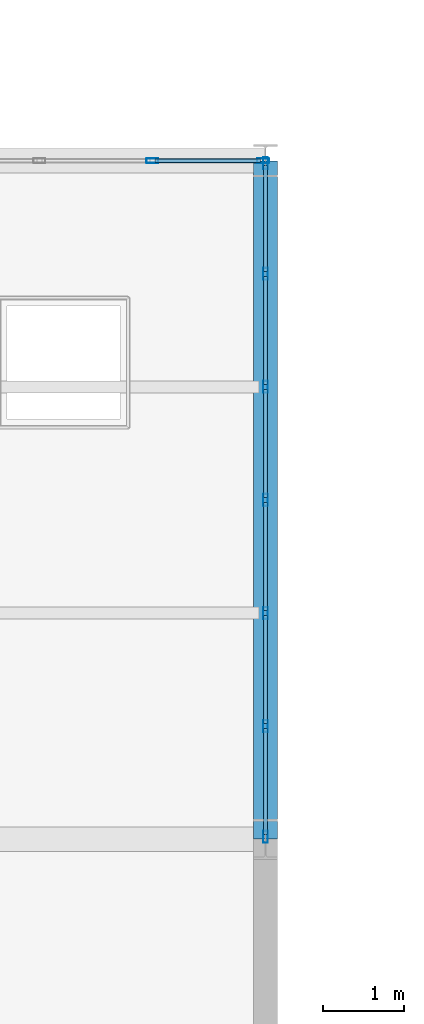
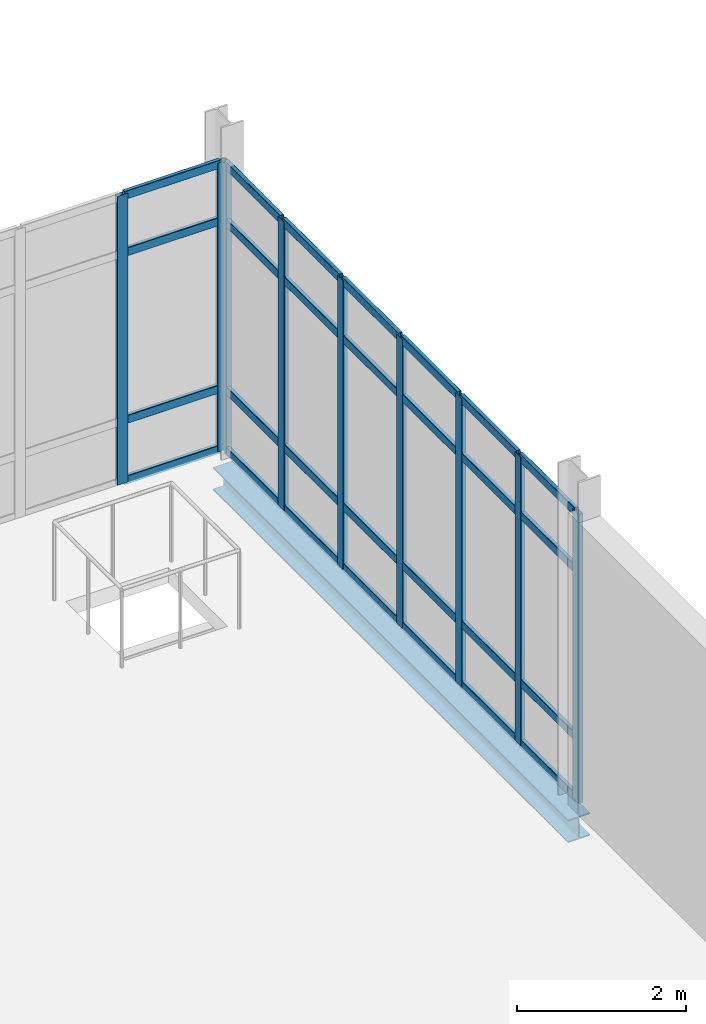
# One storey, part 70 of 145: 37 members, 1 beam, 2 elements without a shape of their own.
"""IFC4 building model written with IfcOpenShell, lengths in metres."""

import ifcopenshell
import ifcopenshell.guid

model = None  # the IFC model being written
_history = None  # IfcOwnerHistory: only IFC2X3 demands one
_inside = {}  # id of a spatial element -> (the spatial element, [elements in it])
_under = {}  # id of a project, library or spatial element -> (it, [spatial elements below it])
_declared = {}  # id of a project -> (the project, [libraries it declares])
_typed = {}  # id of a type object -> (the type object, [elements of that type])
_made_of = {}  # id of a material, layer set ... -> (it, [elements and type objects made of it])


def new_model(schema):
    """Start an empty IFC model of exactly this schema.

    Asked for "IFC4X3", IfcOpenShell would pick the latest addendum, in which some entities
    have other attributes; the version numbers below select the first issue.
    IFC2X3 requires an IfcOwnerHistory on every rooted entity: one is made here for all.
    """
    global model, _history
    if schema == "IFC4X3":
        model = ifcopenshell.file(schema_version=(4, 3, 0, 0))
    else:
        model = ifcopenshell.file(schema=schema)
    _inside.clear()
    _under.clear()
    _declared.clear()
    _typed.clear()
    _made_of.clear()
    _history = None
    if model.schema == "IFC2X3":
        org = make("IfcOrganization", Name="unknown")
        user = make(
            "IfcPersonAndOrganization",
            ThePerson=make("IfcPerson", FamilyName="unknown"),
            TheOrganization=org,
        )
        app = make(
            "IfcApplication",
            ApplicationDeveloper=org,
            Version="unknown",
            ApplicationFullName="unknown",
            ApplicationIdentifier="unknown",
        )
        _history = make(
            "IfcOwnerHistory",
            OwningUser=user,
            OwningApplication=app,
            ChangeAction="ADDED",
            CreationDate=0,
        )
    return model


def make(cls, **values):
    """One entity of the class cls with the attributes given. An attribute that is None is left unset."""
    return model.create_entity(
        cls, **{name: value for name, value in values.items() if value is not None}
    )


def rooted(cls, **values):
    """An entity with a GlobalId (a new one), such as an element, a storey or a relation."""
    return make(cls, GlobalId=ifcopenshell.guid.new(), OwnerHistory=_history, **values)


def si_unit(unit_type, name, prefix=None):
    """IfcSIUnit, for example si_unit("LENGTHUNIT", "METRE", prefix="MILLI")."""
    return make("IfcSIUnit", UnitType=unit_type, Prefix=prefix, Name=name)


def assignment(units):
    """IfcUnitAssignment: the units of a project."""
    return None if units is None else make("IfcUnitAssignment", Units=units)


def point(xyz):
    """IfcCartesianPoint."""
    return None if xyz is None else make("IfcCartesianPoint", Coordinates=xyz)


def direction(xyz):
    """IfcDirection."""
    return None if xyz is None else make("IfcDirection", DirectionRatios=xyz)


def frame(location, z_axis=None, x_axis=None):
    """IfcAxis2Placement3D, a coordinate frame: its origin and axes. An axis left out is left unset."""
    return make(
        "IfcAxis2Placement3D",
        Location=point(location),
        Axis=direction(z_axis),
        RefDirection=direction(x_axis),
    )


def frame_2d(location, x_axis=None):
    """IfcAxis2Placement2D, a coordinate frame in the plane: its origin and x axis."""
    return make(
        "IfcAxis2Placement2D", Location=point(location), RefDirection=direction(x_axis)
    )


def origin():
    """The frame at (0, 0, 0) with its axes left unset."""
    return frame((0.0, 0.0, 0.0))


def origin_2d():
    """The frame at (0, 0) in the plane with its x axis left unset."""
    return frame_2d((0.0, 0.0))


def place(relative_to, where):
    """IfcLocalPlacement: puts the frame where relative to a parent placement (None: the world)."""
    return make(
        "IfcLocalPlacement", PlacementRelTo=relative_to, RelativePlacement=where
    )


def context(
    kind, dimensions, precision=None, world=None, true_north=None, identifier=None
):
    """IfcGeometricRepresentationContext, for example the 3D "Model" context."""
    return make(
        "IfcGeometricRepresentationContext",
        ContextIdentifier=identifier,
        ContextType=kind,
        CoordinateSpaceDimension=dimensions,
        Precision=precision,
        WorldCoordinateSystem=world,
        TrueNorth=true_north,
    )


def subcontext(parent, identifier, kind, view, scale=None):
    """IfcGeometricRepresentationSubContext, for example "Body" below "Model"."""
    return make(
        "IfcGeometricRepresentationSubContext",
        ContextIdentifier=identifier,
        ContextType=kind,
        ParentContext=parent,
        TargetScale=scale,
        TargetView=view,
    )


def project(units=None, contexts=None):
    """IfcProject with its units and contexts."""
    return rooted(
        "IfcProject",
        Name="project",
        RepresentationContexts=contexts,
        UnitsInContext=assignment(units),
    )


def spatial(cls, under=None, at=None, **own):
    """A site, building, storey or space (cls), placed at a placement, below another one or the project."""
    s = rooted(cls, ObjectPlacement=at, **own)
    if under is not None:
        _under.setdefault(under.id(), (under, []))[1].append(s)
    return s


def profile(cls, at=None, kind="AREA", **sizes):
    """A parametric profile (cls). Its sizes go by their IFC names, for example OverallWidth=200.0."""
    return make(cls, ProfileType=kind, Position=at, **sizes)


def hollow_rectangle(**sizes):
    """IfcRectangleHollowProfileDef."""
    return profile("IfcRectangleHollowProfileDef", **sizes)


def i_section(**sizes):
    """IfcIShapeProfileDef."""
    return profile("IfcIShapeProfileDef", **sizes)


def extrude(swept, where, along, depth):
    """IfcExtrudedAreaSolid: the profile swept, set in the frame where, extruded along a direction by depth."""
    return make(
        "IfcExtrudedAreaSolid",
        SweptArea=swept,
        Position=where,
        ExtrudedDirection=direction(along),
        Depth=depth,
    )


def shape(context_of_items, identifier, shape_type, items):
    """IfcShapeRepresentation: the items that make up one representation, for example the "Body"."""
    return make(
        "IfcShapeRepresentation",
        ContextOfItems=context_of_items,
        RepresentationIdentifier=identifier,
        RepresentationType=shape_type,
        Items=items,
    )


def material(Name=None, Category=None):
    """IfcMaterial."""
    return make("IfcMaterial", Name=Name, Category=Category)


def layer(
    of_material, thickness, ventilated=None, Name=None, Category=None, Priority=None
):
    """IfcMaterialLayer: one layer of a wall or slab, of a material (None: an air gap)."""
    return make(
        "IfcMaterialLayer",
        Material=of_material,
        LayerThickness=thickness,
        IsVentilated=ventilated,
        Name=Name,
        Category=Category,
        Priority=Priority,
    )


def layer_set(layers, Name=None):
    """IfcMaterialLayerSet."""
    return make("IfcMaterialLayerSet", MaterialLayers=layers, LayerSetName=Name)


def material_profile(
    of_material, cross_section, Name=None, Category=None, Priority=None
):
    """IfcMaterialProfile: a cross section and its material."""
    return make(
        "IfcMaterialProfile",
        Name=Name,
        Material=of_material,
        Profile=cross_section,
        Priority=Priority,
        Category=Category,
    )


def profile_set(profiles, Name=None, composite=None):
    """IfcMaterialProfileSet."""
    return make(
        "IfcMaterialProfileSet",
        Name=Name,
        MaterialProfiles=profiles,
        CompositeProfile=composite,
    )


def made_of(thing, what):
    """Note that an element or type object is made of a material, layer set ...; save() writes the relation."""
    if what is not None:
        _made_of.setdefault(what.id(), (what, []))[1].append(thing)
    return thing


def type_object(cls, material=None, **own):
    """A type object (cls), such as IfcWallType, which elements share."""
    return made_of(rooted(cls, **own), material)


def element(
    cls,
    number,
    at=None,
    inside=None,
    cuts=None,
    type_object=None,
    material=None,
    context=None,
    identifier="Body",
    shape_type=None,
    held_by="IfcProductDefinitionShape",
    body=None,
    shapes=None,
    **own,
):
    """One element of the class cls, such as IfcWall. Its Tag is "e" and its number.

    at: its placement. inside: the storey or other place that contains it. cuts: it is an
    opening in that element (IfcRelVoidsElement). A single representation is given by context,
    identifier, shape_type and body (its items); several are given by shapes. held_by: the class
    of the entity that holds the representations. save() writes the other relations.
    """
    e = rooted(cls, Tag="e%d" % number, ObjectPlacement=at, **own)
    if body is not None:
        shapes = [shape(context, identifier, shape_type, body)]
    if shapes is not None:
        e.Representation = make(held_by, Representations=shapes)
    if inside is not None:
        _inside.setdefault(inside.id(), (inside, []))[1].append(e)
    if cuts is not None:
        rooted(
            "IfcRelVoidsElement", RelatingBuildingElement=cuts, RelatedOpeningElement=e
        )
    if type_object is not None:
        _typed.setdefault(type_object.id(), (type_object, []))[1].append(e)
    return made_of(e, material)


def aggregate(whole, parts):
    """IfcRelAggregates: a whole, such as a stair, and the parts it consists of."""
    return rooted("IfcRelAggregates", RelatingObject=whole, RelatedObjects=parts)


def save(model, path):
    """Write the relations noted so far, then the file.

    IfcRelAggregates (storeys below a building ...), IfcRelContainedInSpatialStructure (elements
    in a storey), IfcRelDefinesByType, IfcRelAssociatesMaterial and IfcRelDeclares: one each for
    every whole, place, type object, material and project.
    """
    for whole, parts in _under.values():
        aggregate(whole, parts)
    for where, things in _inside.values():
        rooted(
            "IfcRelContainedInSpatialStructure",
            RelatedElements=things,
            RelatingStructure=where,
        )
    for kind, things in _typed.values():
        rooted("IfcRelDefinesByType", RelatedObjects=things, RelatingType=kind)
    for what, things in _made_of.values():
        rooted("IfcRelAssociatesMaterial", RelatedObjects=things, RelatingMaterial=what)
    for by, libraries in _declared.values():
        rooted("IfcRelDeclares", RelatingContext=by, RelatedDefinitions=libraries)
    model.write(path)


model = new_model("IFC4")

# Units and contexts
model_context = context("Model", 3, precision=1e-05, world=origin(), true_north=direction((0.0, 1.0)))
body_context = subcontext(model_context, "Body", "Model", "MODEL_VIEW")
ifc_project = project(units=[si_unit("LENGTHUNIT", "METRE"), si_unit("AREAUNIT", "SQUARE_METRE"), si_unit("VOLUMEUNIT", "CUBIC_METRE"), si_unit("PLANEANGLEUNIT", "RADIAN"), si_unit("MASSUNIT", "GRAM", prefix="KILO")], contexts=[model_context])

# Site, building, storey
site_placement = place(None, origin())
site = spatial("IfcSite", under=ifc_project, at=site_placement, CompositionType="ELEMENT")
building_placement = place(site_placement, origin())
building = spatial("IfcBuilding", under=site, at=building_placement, Name="Qalvenar Corner Mobility Hub", CompositionType="ELEMENT")
storey_placement = place(building_placement, origin())
storey = spatial("IfcBuildingStorey", under=building, at=storey_placement, Name="L00", CompositionType="ELEMENT", Elevation=0.0)

# Beam
ifc_material_1 = material(Name="Steel S355", Category="steel")
ifc_material_profile_1 = material_profile(ifc_material_1, i_section(OverallWidth=0.300048828125, OverallDepth=0.330078125, WebThickness=0.009521484375, FlangeThickness=0.0166015625, FilletRadius=0.027099609375, at=origin_2d()), Name="HEA340")
ifc_profile_set_1 = profile_set([ifc_material_profile_1], Name="Steel S355")
beam_type = type_object("IfcBeamType", Name="BM-SPN340", PredefinedType="SPANDREL", material=ifc_profile_set_1)
beam_placement = place(storey_placement, frame((33.60009765625, 84.0, -0.385009765625), z_axis=(0.0, 1.0, 0.0), x_axis=(-1.0, 0.0, 0.0)))
element("IfcBeam", 1, at=beam_placement, inside=storey, type_object=beam_type, Name="Primary Steel Girder GY-0476", PredefinedType="SPANDREL", context=body_context, shape_type="SweptSolid", body=[
    extrude(i_section(OverallWidth=0.300048828125, OverallDepth=0.330078125, WebThickness=0.009521484375, FlangeThickness=0.0166015625, FilletRadius=0.027099609375, at=origin_2d()), origin(), (0.0, 0.0, 1.0), 8.39990234375),
])

# Curtain wall, members
ifc_material_2 = material(Name="Anodised Aluminium and Low-E Glazing", Category="aluminium")
ifc_layer = layer(ifc_material_2, 0.14990234375)
ifc_layer_set = layer_set([ifc_layer], Name="Anodised Aluminium and Low-E Glazing")
curtain_wall_type = type_object("IfcCurtainWallType", Name="CW-CYC-84X39", PredefinedType="NOTDEFINED", material=ifc_layer_set)
curtain_wall_1_placement = place(storey_placement, origin())
curtain_wall_1 = element("IfcCurtainWall", 2, at=curtain_wall_1_placement, inside=storey, type_object=curtain_wall_type, Name="Glazed Curtain Wall CW-V5-L00-E5", PredefinedType="NOTDEFINED")
ifc_material_3 = material(Name="Anodised Aluminium 6063-T6", Category="aluminium")
ifc_material_profile_2 = material_profile(ifc_material_3, hollow_rectangle(XDim=0.06005859375, YDim=0.14990234375, WallThickness=0.00390625, InnerFilletRadius=0.00390625, OuterFilletRadius=0.008056640625, at=origin_2d()), Name="RHS150x60x4")
ifc_profile_set_2 = profile_set([ifc_material_profile_2], Name="Anodised Aluminium 6063-T6")
member_type_1 = type_object("IfcMemberType", Name="CW-MUL150", PredefinedType="MULLION", material=ifc_profile_set_2)
member_1_placement = place(storey_placement, frame((33.60009765625, 84.030029296875, 0.0), z_axis=(0.0, 0.0, 1.0), x_axis=(-1.0, 0.0, 0.0)))
member_1 = element("IfcMember", 3, at=member_1_placement, type_object=member_type_1, Name="CW-08 mullion 1", PredefinedType="MULLION", context=body_context, shape_type="SweptSolid", body=[
    extrude(hollow_rectangle(XDim=0.06005859375, YDim=0.14990234375, WallThickness=0.00390625, InnerFilletRadius=0.00390625, OuterFilletRadius=0.008056640625, at=origin_2d()), origin(), (0.0, 0.0, 1.0), 4.169921875),
])
member_2_placement = place(storey_placement, frame((33.60009765625, 85.39990234375, 0.0), z_axis=(0.0, 0.0, 1.0), x_axis=(-1.0, 0.0, 0.0)))
member_2 = element("IfcMember", 4, at=member_2_placement, type_object=member_type_1, Name="CW-08 mullion 2", PredefinedType="MULLION", context=body_context, shape_type="SweptSolid", body=[
    extrude(hollow_rectangle(XDim=0.06005859375, YDim=0.14990234375, WallThickness=0.00390625, InnerFilletRadius=0.00390625, OuterFilletRadius=0.008056640625, at=origin_2d()), origin(), (0.0, 0.0, 1.0), 4.169921875),
])
member_3_placement = place(storey_placement, frame((33.60009765625, 86.800048828125, 0.0), z_axis=(0.0, 0.0, 1.0), x_axis=(-1.0, 0.0, 0.0)))
member_3 = element("IfcMember", 5, at=member_3_placement, type_object=member_type_1, Name="CW-08 mullion 3", PredefinedType="MULLION", context=body_context, shape_type="SweptSolid", body=[
    extrude(hollow_rectangle(XDim=0.06005859375, YDim=0.14990234375, WallThickness=0.00390625, InnerFilletRadius=0.00390625, OuterFilletRadius=0.008056640625, at=origin_2d()), origin(), (0.0, 0.0, 1.0), 4.169921875),
])
member_4_placement = place(storey_placement, frame((33.60009765625, 88.199951171875, 0.0), z_axis=(0.0, 0.0, 1.0), x_axis=(-1.0, 0.0, 0.0)))
member_4 = element("IfcMember", 6, at=member_4_placement, type_object=member_type_1, Name="CW-08 mullion 4", PredefinedType="MULLION", context=body_context, shape_type="SweptSolid", body=[
    extrude(hollow_rectangle(XDim=0.06005859375, YDim=0.14990234375, WallThickness=0.00390625, InnerFilletRadius=0.00390625, OuterFilletRadius=0.008056640625, at=origin_2d()), origin(), (0.0, 0.0, 1.0), 4.169921875),
])
member_5_placement = place(storey_placement, frame((33.60009765625, 89.60009765625, 0.0), z_axis=(0.0, 0.0, 1.0), x_axis=(-1.0, 0.0, 0.0)))
member_5 = element("IfcMember", 7, at=member_5_placement, type_object=member_type_1, Name="CW-08 mullion 5", PredefinedType="MULLION", context=body_context, shape_type="SweptSolid", body=[
    extrude(hollow_rectangle(XDim=0.06005859375, YDim=0.14990234375, WallThickness=0.00390625, InnerFilletRadius=0.00390625, OuterFilletRadius=0.008056640625, at=origin_2d()), origin(), (0.0, 0.0, 1.0), 4.169921875),
])
member_6_placement = place(storey_placement, frame((33.60009765625, 91.0, 0.0), z_axis=(0.0, 0.0, 1.0), x_axis=(-1.0, 0.0, 0.0)))
member_6 = element("IfcMember", 8, at=member_6_placement, type_object=member_type_1, Name="CW-08 mullion 6", PredefinedType="MULLION", context=body_context, shape_type="SweptSolid", body=[
    extrude(hollow_rectangle(XDim=0.06005859375, YDim=0.14990234375, WallThickness=0.00390625, InnerFilletRadius=0.00390625, OuterFilletRadius=0.008056640625, at=origin_2d()), origin(), (0.0, 0.0, 1.0), 4.169921875),
])
member_7_placement = place(storey_placement, frame((33.60009765625, 92.3701171875, 0.0), z_axis=(0.0, 0.0, 1.0), x_axis=(-1.0, 0.0, 0.0)))
member_7 = element("IfcMember", 9, at=member_7_placement, type_object=member_type_1, Name="CW-08 mullion 7", PredefinedType="MULLION", context=body_context, shape_type="SweptSolid", body=[
    extrude(hollow_rectangle(XDim=0.06005859375, YDim=0.14990234375, WallThickness=0.00390625, InnerFilletRadius=0.00390625, OuterFilletRadius=0.008056640625, at=origin_2d()), origin(), (0.0, 0.0, 1.0), 4.169921875),
])

curtain_wall_2_placement = place(storey_placement, origin())
curtain_wall_2 = element("IfcCurtainWall", 10, at=curtain_wall_2_placement, inside=storey, type_object=curtain_wall_type, Name="Glazed Curtain Wall CW-V5-L00-N3", PredefinedType="NOTDEFINED")
member_8_placement = place(storey_placement, frame((33.570068359375, 92.39990234375, 0.0), z_axis=(0.0, 0.0, 1.0), x_axis=(0.0, -1.0, 0.0)))
member_8 = element("IfcMember", 11, at=member_8_placement, type_object=member_type_1, Name="CW-08 mullion 1", PredefinedType="MULLION", context=body_context, shape_type="SweptSolid", body=[
    extrude(hollow_rectangle(XDim=0.06005859375, YDim=0.14990234375, WallThickness=0.00390625, InnerFilletRadius=0.00390625, OuterFilletRadius=0.008056640625, at=origin_2d()), origin(), (0.0, 0.0, 1.0), 4.169921875),
])
member_9_placement = place(storey_placement, frame((32.199951171875, 92.39990234375, 0.0), z_axis=(0.0, 0.0, 1.0), x_axis=(0.0, -1.0, 0.0)))
member_9 = element("IfcMember", 12, at=member_9_placement, type_object=member_type_1, Name="CW-08 mullion 2", PredefinedType="MULLION", context=body_context, shape_type="SweptSolid", body=[
    extrude(hollow_rectangle(XDim=0.06005859375, YDim=0.14990234375, WallThickness=0.00390625, InnerFilletRadius=0.00390625, OuterFilletRadius=0.008056640625, at=origin_2d()), origin(), (0.0, 0.0, 1.0), 4.169921875),
])

# Member
ifc_material_profile_3 = material_profile(ifc_material_3, hollow_rectangle(XDim=0.054931640625, YDim=0.1201171875, WallThickness=0.00341796875, InnerFilletRadius=0.00341796875, OuterFilletRadius=0.007080078125, at=origin_2d()), Name="RHS120x55x3.5")
ifc_profile_set_3 = profile_set([ifc_material_profile_3], Name="Anodised Aluminium 6063-T6")
member_type_2 = type_object("IfcMemberType", Name="CW-TRN120", PredefinedType="USERDEFINED", material=ifc_profile_set_3)
member_10_placement = place(storey_placement, frame((33.60009765625, 84.06005859375, 0.027587890625), z_axis=(0.0, 1.0, 0.0), x_axis=(-1.0, 0.0, 0.0)))
member_10 = element("IfcMember", 13, at=member_10_placement, type_object=member_type_2, Name="CW-08 transom 1.1", ObjectType="TRANSOM", PredefinedType="USERDEFINED", context=body_context, shape_type="SweptSolid", body=[
    extrude(hollow_rectangle(XDim=0.054931640625, YDim=0.1201171875, WallThickness=0.00341796875, InnerFilletRadius=0.00341796875, OuterFilletRadius=0.007080078125, at=origin_2d()), origin(), (0.0, 0.0, 1.0), 1.31005859375),
])

member_11_placement = place(storey_placement, frame((33.60009765625, 84.06005859375, 0.89990234375), z_axis=(0.0, 1.0, 0.0), x_axis=(-1.0, 0.0, 0.0)))
member_11 = element("IfcMember", 14, at=member_11_placement, type_object=member_type_2, Name="CW-08 transom 1.2", ObjectType="TRANSOM", PredefinedType="USERDEFINED", context=body_context, shape_type="SweptSolid", body=[
    extrude(hollow_rectangle(XDim=0.054931640625, YDim=0.1201171875, WallThickness=0.00341796875, InnerFilletRadius=0.00341796875, OuterFilletRadius=0.007080078125, at=origin_2d()), origin(), (0.0, 0.0, 1.0), 1.31005859375),
])

member_12_placement = place(storey_placement, frame((33.60009765625, 84.06005859375, 3.320068359375), z_axis=(0.0, 1.0, 0.0), x_axis=(-1.0, 0.0, 0.0)))
member_12 = element("IfcMember", 15, at=member_12_placement, type_object=member_type_2, Name="CW-08 transom 1.3", ObjectType="TRANSOM", PredefinedType="USERDEFINED", context=body_context, shape_type="SweptSolid", body=[
    extrude(hollow_rectangle(XDim=0.054931640625, YDim=0.1201171875, WallThickness=0.00341796875, InnerFilletRadius=0.00341796875, OuterFilletRadius=0.007080078125, at=origin_2d()), origin(), (0.0, 0.0, 1.0), 1.31005859375),
])

member_13_placement = place(storey_placement, frame((33.60009765625, 84.06005859375, 4.142578125), z_axis=(0.0, 1.0, 0.0), x_axis=(-1.0, 0.0, 0.0)))
member_13 = element("IfcMember", 16, at=member_13_placement, type_object=member_type_2, Name="CW-08 transom 1.4", ObjectType="TRANSOM", PredefinedType="USERDEFINED", context=body_context, shape_type="SweptSolid", body=[
    extrude(hollow_rectangle(XDim=0.054931640625, YDim=0.1201171875, WallThickness=0.00341796875, InnerFilletRadius=0.00341796875, OuterFilletRadius=0.007080078125, at=origin_2d()), origin(), (0.0, 0.0, 1.0), 1.31005859375),
])

member_14_placement = place(storey_placement, frame((33.60009765625, 85.429931640625, 0.027587890625), z_axis=(0.0, 1.0, 0.0), x_axis=(-1.0, 0.0, 0.0)))
member_14 = element("IfcMember", 17, at=member_14_placement, type_object=member_type_2, Name="CW-08 transom 2.1", ObjectType="TRANSOM", PredefinedType="USERDEFINED", context=body_context, shape_type="SweptSolid", body=[
    extrude(hollow_rectangle(XDim=0.054931640625, YDim=0.1201171875, WallThickness=0.00341796875, InnerFilletRadius=0.00341796875, OuterFilletRadius=0.007080078125, at=origin_2d()), origin(), (0.0, 0.0, 1.0), 1.340087890625),
])

member_15_placement = place(storey_placement, frame((33.60009765625, 85.429931640625, 0.89990234375), z_axis=(0.0, 1.0, 0.0), x_axis=(-1.0, 0.0, 0.0)))
member_15 = element("IfcMember", 18, at=member_15_placement, type_object=member_type_2, Name="CW-08 transom 2.2", ObjectType="TRANSOM", PredefinedType="USERDEFINED", context=body_context, shape_type="SweptSolid", body=[
    extrude(hollow_rectangle(XDim=0.054931640625, YDim=0.1201171875, WallThickness=0.00341796875, InnerFilletRadius=0.00341796875, OuterFilletRadius=0.007080078125, at=origin_2d()), origin(), (0.0, 0.0, 1.0), 1.340087890625),
])

member_16_placement = place(storey_placement, frame((33.60009765625, 85.429931640625, 3.320068359375), z_axis=(0.0, 1.0, 0.0), x_axis=(-1.0, 0.0, 0.0)))
member_16 = element("IfcMember", 19, at=member_16_placement, type_object=member_type_2, Name="CW-08 transom 2.3", ObjectType="TRANSOM", PredefinedType="USERDEFINED", context=body_context, shape_type="SweptSolid", body=[
    extrude(hollow_rectangle(XDim=0.054931640625, YDim=0.1201171875, WallThickness=0.00341796875, InnerFilletRadius=0.00341796875, OuterFilletRadius=0.007080078125, at=origin_2d()), origin(), (0.0, 0.0, 1.0), 1.340087890625),
])

member_17_placement = place(storey_placement, frame((33.60009765625, 85.429931640625, 4.142578125), z_axis=(0.0, 1.0, 0.0), x_axis=(-1.0, 0.0, 0.0)))
member_17 = element("IfcMember", 20, at=member_17_placement, type_object=member_type_2, Name="CW-08 transom 2.4", ObjectType="TRANSOM", PredefinedType="USERDEFINED", context=body_context, shape_type="SweptSolid", body=[
    extrude(hollow_rectangle(XDim=0.054931640625, YDim=0.1201171875, WallThickness=0.00341796875, InnerFilletRadius=0.00341796875, OuterFilletRadius=0.007080078125, at=origin_2d()), origin(), (0.0, 0.0, 1.0), 1.340087890625),
])

member_18_placement = place(storey_placement, frame((33.60009765625, 86.830078125, 0.027587890625), z_axis=(0.0, 1.0, 0.0), x_axis=(-1.0, 0.0, 0.0)))
member_18 = element("IfcMember", 21, at=member_18_placement, type_object=member_type_2, Name="CW-08 transom 3.1", ObjectType="TRANSOM", PredefinedType="USERDEFINED", context=body_context, shape_type="SweptSolid", body=[
    extrude(hollow_rectangle(XDim=0.054931640625, YDim=0.1201171875, WallThickness=0.00341796875, InnerFilletRadius=0.00341796875, OuterFilletRadius=0.007080078125, at=origin_2d()), origin(), (0.0, 0.0, 1.0), 1.33984375),
])

member_19_placement = place(storey_placement, frame((33.60009765625, 86.830078125, 0.89990234375), z_axis=(0.0, 1.0, 0.0), x_axis=(-1.0, 0.0, 0.0)))
member_19 = element("IfcMember", 22, at=member_19_placement, type_object=member_type_2, Name="CW-08 transom 3.2", ObjectType="TRANSOM", PredefinedType="USERDEFINED", context=body_context, shape_type="SweptSolid", body=[
    extrude(hollow_rectangle(XDim=0.054931640625, YDim=0.1201171875, WallThickness=0.00341796875, InnerFilletRadius=0.00341796875, OuterFilletRadius=0.007080078125, at=origin_2d()), origin(), (0.0, 0.0, 1.0), 1.33984375),
])

member_20_placement = place(storey_placement, frame((33.60009765625, 86.830078125, 3.320068359375), z_axis=(0.0, 1.0, 0.0), x_axis=(-1.0, 0.0, 0.0)))
member_20 = element("IfcMember", 23, at=member_20_placement, type_object=member_type_2, Name="CW-08 transom 3.3", ObjectType="TRANSOM", PredefinedType="USERDEFINED", context=body_context, shape_type="SweptSolid", body=[
    extrude(hollow_rectangle(XDim=0.054931640625, YDim=0.1201171875, WallThickness=0.00341796875, InnerFilletRadius=0.00341796875, OuterFilletRadius=0.007080078125, at=origin_2d()), origin(), (0.0, 0.0, 1.0), 1.33984375),
])

member_21_placement = place(storey_placement, frame((33.60009765625, 86.830078125, 4.142578125), z_axis=(0.0, 1.0, 0.0), x_axis=(-1.0, 0.0, 0.0)))
member_21 = element("IfcMember", 24, at=member_21_placement, type_object=member_type_2, Name="CW-08 transom 3.4", ObjectType="TRANSOM", PredefinedType="USERDEFINED", context=body_context, shape_type="SweptSolid", body=[
    extrude(hollow_rectangle(XDim=0.054931640625, YDim=0.1201171875, WallThickness=0.00341796875, InnerFilletRadius=0.00341796875, OuterFilletRadius=0.007080078125, at=origin_2d()), origin(), (0.0, 0.0, 1.0), 1.33984375),
])

member_22_placement = place(storey_placement, frame((33.60009765625, 88.22998046875, 0.027587890625), z_axis=(0.0, 1.0, 0.0), x_axis=(-1.0, 0.0, 0.0)))
member_22 = element("IfcMember", 25, at=member_22_placement, type_object=member_type_2, Name="CW-08 transom 4.1", ObjectType="TRANSOM", PredefinedType="USERDEFINED", context=body_context, shape_type="SweptSolid", body=[
    extrude(hollow_rectangle(XDim=0.054931640625, YDim=0.1201171875, WallThickness=0.00341796875, InnerFilletRadius=0.00341796875, OuterFilletRadius=0.007080078125, at=origin_2d()), origin(), (0.0, 0.0, 1.0), 1.340087890625),
])

member_23_placement = place(storey_placement, frame((33.60009765625, 88.22998046875, 0.89990234375), z_axis=(0.0, 1.0, 0.0), x_axis=(-1.0, 0.0, 0.0)))
member_23 = element("IfcMember", 26, at=member_23_placement, type_object=member_type_2, Name="CW-08 transom 4.2", ObjectType="TRANSOM", PredefinedType="USERDEFINED", context=body_context, shape_type="SweptSolid", body=[
    extrude(hollow_rectangle(XDim=0.054931640625, YDim=0.1201171875, WallThickness=0.00341796875, InnerFilletRadius=0.00341796875, OuterFilletRadius=0.007080078125, at=origin_2d()), origin(), (0.0, 0.0, 1.0), 1.340087890625),
])

member_24_placement = place(storey_placement, frame((33.60009765625, 88.22998046875, 3.320068359375), z_axis=(0.0, 1.0, 0.0), x_axis=(-1.0, 0.0, 0.0)))
member_24 = element("IfcMember", 27, at=member_24_placement, type_object=member_type_2, Name="CW-08 transom 4.3", ObjectType="TRANSOM", PredefinedType="USERDEFINED", context=body_context, shape_type="SweptSolid", body=[
    extrude(hollow_rectangle(XDim=0.054931640625, YDim=0.1201171875, WallThickness=0.00341796875, InnerFilletRadius=0.00341796875, OuterFilletRadius=0.007080078125, at=origin_2d()), origin(), (0.0, 0.0, 1.0), 1.340087890625),
])

member_25_placement = place(storey_placement, frame((33.60009765625, 88.22998046875, 4.142578125), z_axis=(0.0, 1.0, 0.0), x_axis=(-1.0, 0.0, 0.0)))
member_25 = element("IfcMember", 28, at=member_25_placement, type_object=member_type_2, Name="CW-08 transom 4.4", ObjectType="TRANSOM", PredefinedType="USERDEFINED", context=body_context, shape_type="SweptSolid", body=[
    extrude(hollow_rectangle(XDim=0.054931640625, YDim=0.1201171875, WallThickness=0.00341796875, InnerFilletRadius=0.00341796875, OuterFilletRadius=0.007080078125, at=origin_2d()), origin(), (0.0, 0.0, 1.0), 1.340087890625),
])

member_26_placement = place(storey_placement, frame((33.60009765625, 89.6298828125, 0.027587890625), z_axis=(0.0, 1.0, 0.0), x_axis=(-1.0, 0.0, 0.0)))
member_26 = element("IfcMember", 29, at=member_26_placement, type_object=member_type_2, Name="CW-08 transom 5.1", ObjectType="TRANSOM", PredefinedType="USERDEFINED", context=body_context, shape_type="SweptSolid", body=[
    extrude(hollow_rectangle(XDim=0.054931640625, YDim=0.1201171875, WallThickness=0.00341796875, InnerFilletRadius=0.00341796875, OuterFilletRadius=0.007080078125, at=origin_2d()), origin(), (0.0, 0.0, 1.0), 1.340087890625),
])

member_27_placement = place(storey_placement, frame((33.60009765625, 89.6298828125, 0.89990234375), z_axis=(0.0, 1.0, 0.0), x_axis=(-1.0, 0.0, 0.0)))
member_27 = element("IfcMember", 30, at=member_27_placement, type_object=member_type_2, Name="CW-08 transom 5.2", ObjectType="TRANSOM", PredefinedType="USERDEFINED", context=body_context, shape_type="SweptSolid", body=[
    extrude(hollow_rectangle(XDim=0.054931640625, YDim=0.1201171875, WallThickness=0.00341796875, InnerFilletRadius=0.00341796875, OuterFilletRadius=0.007080078125, at=origin_2d()), origin(), (0.0, 0.0, 1.0), 1.340087890625),
])

member_28_placement = place(storey_placement, frame((33.60009765625, 89.6298828125, 3.320068359375), z_axis=(0.0, 1.0, 0.0), x_axis=(-1.0, 0.0, 0.0)))
member_28 = element("IfcMember", 31, at=member_28_placement, type_object=member_type_2, Name="CW-08 transom 5.3", ObjectType="TRANSOM", PredefinedType="USERDEFINED", context=body_context, shape_type="SweptSolid", body=[
    extrude(hollow_rectangle(XDim=0.054931640625, YDim=0.1201171875, WallThickness=0.00341796875, InnerFilletRadius=0.00341796875, OuterFilletRadius=0.007080078125, at=origin_2d()), origin(), (0.0, 0.0, 1.0), 1.340087890625),
])

member_29_placement = place(storey_placement, frame((33.60009765625, 89.6298828125, 4.142578125), z_axis=(0.0, 1.0, 0.0), x_axis=(-1.0, 0.0, 0.0)))
member_29 = element("IfcMember", 32, at=member_29_placement, type_object=member_type_2, Name="CW-08 transom 5.4", ObjectType="TRANSOM", PredefinedType="USERDEFINED", context=body_context, shape_type="SweptSolid", body=[
    extrude(hollow_rectangle(XDim=0.054931640625, YDim=0.1201171875, WallThickness=0.00341796875, InnerFilletRadius=0.00341796875, OuterFilletRadius=0.007080078125, at=origin_2d()), origin(), (0.0, 0.0, 1.0), 1.340087890625),
])

member_30_placement = place(storey_placement, frame((33.60009765625, 91.030029296875, 0.027587890625), z_axis=(0.0, 1.0, 0.0), x_axis=(-1.0, 0.0, 0.0)))
member_30 = element("IfcMember", 33, at=member_30_placement, type_object=member_type_2, Name="CW-08 transom 6.1", ObjectType="TRANSOM", PredefinedType="USERDEFINED", context=body_context, shape_type="SweptSolid", body=[
    extrude(hollow_rectangle(XDim=0.054931640625, YDim=0.1201171875, WallThickness=0.00341796875, InnerFilletRadius=0.00341796875, OuterFilletRadius=0.007080078125, at=origin_2d()), origin(), (0.0, 0.0, 1.0), 1.31005859375),
])

member_31_placement = place(storey_placement, frame((33.60009765625, 91.030029296875, 0.89990234375), z_axis=(0.0, 1.0, 0.0), x_axis=(-1.0, 0.0, 0.0)))
member_31 = element("IfcMember", 34, at=member_31_placement, type_object=member_type_2, Name="CW-08 transom 6.2", ObjectType="TRANSOM", PredefinedType="USERDEFINED", context=body_context, shape_type="SweptSolid", body=[
    extrude(hollow_rectangle(XDim=0.054931640625, YDim=0.1201171875, WallThickness=0.00341796875, InnerFilletRadius=0.00341796875, OuterFilletRadius=0.007080078125, at=origin_2d()), origin(), (0.0, 0.0, 1.0), 1.31005859375),
])

member_32_placement = place(storey_placement, frame((33.60009765625, 91.030029296875, 3.320068359375), z_axis=(0.0, 1.0, 0.0), x_axis=(-1.0, 0.0, 0.0)))
member_32 = element("IfcMember", 35, at=member_32_placement, type_object=member_type_2, Name="CW-08 transom 6.3", ObjectType="TRANSOM", PredefinedType="USERDEFINED", context=body_context, shape_type="SweptSolid", body=[
    extrude(hollow_rectangle(XDim=0.054931640625, YDim=0.1201171875, WallThickness=0.00341796875, InnerFilletRadius=0.00341796875, OuterFilletRadius=0.007080078125, at=origin_2d()), origin(), (0.0, 0.0, 1.0), 1.31005859375),
])

member_33_placement = place(storey_placement, frame((33.60009765625, 91.030029296875, 4.142578125), z_axis=(0.0, 1.0, 0.0), x_axis=(-1.0, 0.0, 0.0)))
member_33 = element("IfcMember", 36, at=member_33_placement, type_object=member_type_2, Name="CW-08 transom 6.4", ObjectType="TRANSOM", PredefinedType="USERDEFINED", context=body_context, shape_type="SweptSolid", body=[
    extrude(hollow_rectangle(XDim=0.054931640625, YDim=0.1201171875, WallThickness=0.00341796875, InnerFilletRadius=0.00341796875, OuterFilletRadius=0.007080078125, at=origin_2d()), origin(), (0.0, 0.0, 1.0), 1.31005859375),
])

aggregate(curtain_wall_1, [member_1, member_2, member_3, member_4, member_5, member_6, member_7, member_10, member_11, member_12, member_13, member_14, member_15, member_16, member_17, member_18, member_19, member_20, member_21, member_22, member_23, member_24, member_25, member_26, member_27, member_28, member_29, member_30, member_31, member_32, member_33])

member_34_placement = place(storey_placement, frame((33.5400390625, 92.39990234375, 0.027587890625), z_axis=(-1.0, 0.0, 0.0), x_axis=(0.0, -1.0, 0.0)))
member_34 = element("IfcMember", 37, at=member_34_placement, type_object=member_type_2, Name="CW-08 transom 1.1", ObjectType="TRANSOM", PredefinedType="USERDEFINED", context=body_context, shape_type="SweptSolid", body=[
    extrude(hollow_rectangle(XDim=0.054931640625, YDim=0.1201171875, WallThickness=0.00341796875, InnerFilletRadius=0.00341796875, OuterFilletRadius=0.007080078125, at=origin_2d()), origin(), (0.0, 0.0, 1.0), 1.31005859375),
])

member_35_placement = place(storey_placement, frame((33.5400390625, 92.39990234375, 0.89990234375), z_axis=(-1.0, 0.0, 0.0), x_axis=(0.0, -1.0, 0.0)))
member_35 = element("IfcMember", 38, at=member_35_placement, type_object=member_type_2, Name="CW-08 transom 1.2", ObjectType="TRANSOM", PredefinedType="USERDEFINED", context=body_context, shape_type="SweptSolid", body=[
    extrude(hollow_rectangle(XDim=0.054931640625, YDim=0.1201171875, WallThickness=0.00341796875, InnerFilletRadius=0.00341796875, OuterFilletRadius=0.007080078125, at=origin_2d()), origin(), (0.0, 0.0, 1.0), 1.31005859375),
])

member_36_placement = place(storey_placement, frame((33.5400390625, 92.39990234375, 3.320068359375), z_axis=(-1.0, 0.0, 0.0), x_axis=(0.0, -1.0, 0.0)))
member_36 = element("IfcMember", 39, at=member_36_placement, type_object=member_type_2, Name="CW-08 transom 1.3", ObjectType="TRANSOM", PredefinedType="USERDEFINED", context=body_context, shape_type="SweptSolid", body=[
    extrude(hollow_rectangle(XDim=0.054931640625, YDim=0.1201171875, WallThickness=0.00341796875, InnerFilletRadius=0.00341796875, OuterFilletRadius=0.007080078125, at=origin_2d()), origin(), (0.0, 0.0, 1.0), 1.31005859375),
])

member_37_placement = place(storey_placement, frame((33.5400390625, 92.39990234375, 4.142578125), z_axis=(-1.0, 0.0, 0.0), x_axis=(0.0, -1.0, 0.0)))
member_37 = element("IfcMember", 40, at=member_37_placement, type_object=member_type_2, Name="CW-08 transom 1.4", ObjectType="TRANSOM", PredefinedType="USERDEFINED", context=body_context, shape_type="SweptSolid", body=[
    extrude(hollow_rectangle(XDim=0.054931640625, YDim=0.1201171875, WallThickness=0.00341796875, InnerFilletRadius=0.00341796875, OuterFilletRadius=0.007080078125, at=origin_2d()), origin(), (0.0, 0.0, 1.0), 1.31005859375),
])

aggregate(curtain_wall_2, [member_8, member_9, member_34, member_35, member_36, member_37])

save(model, "model.ifc")
